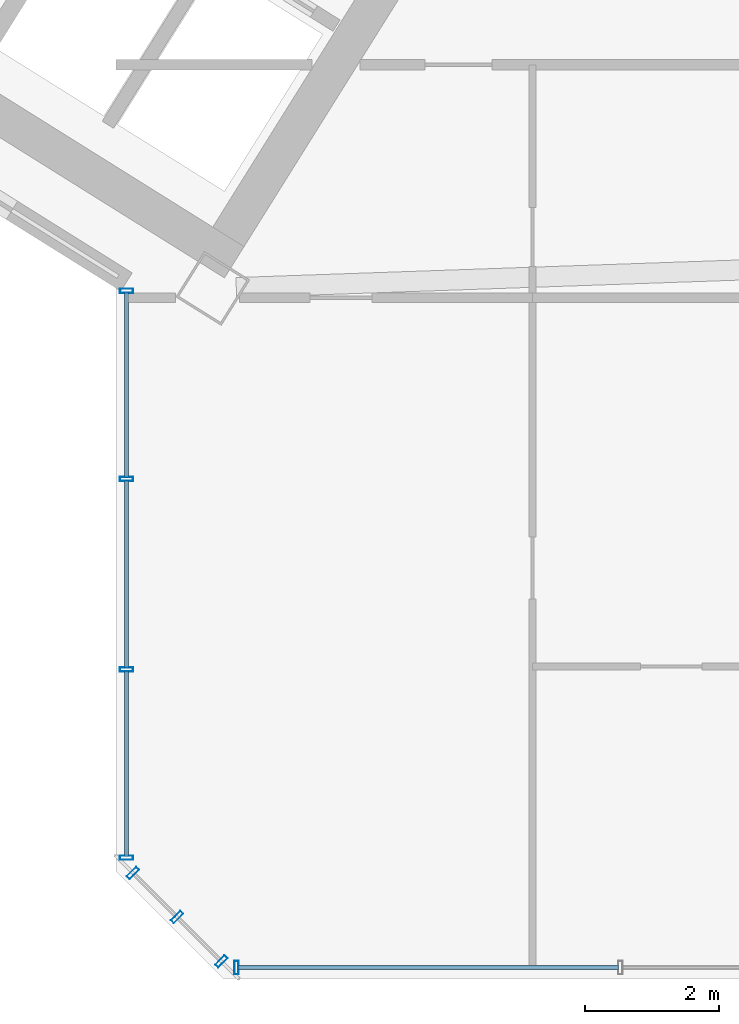
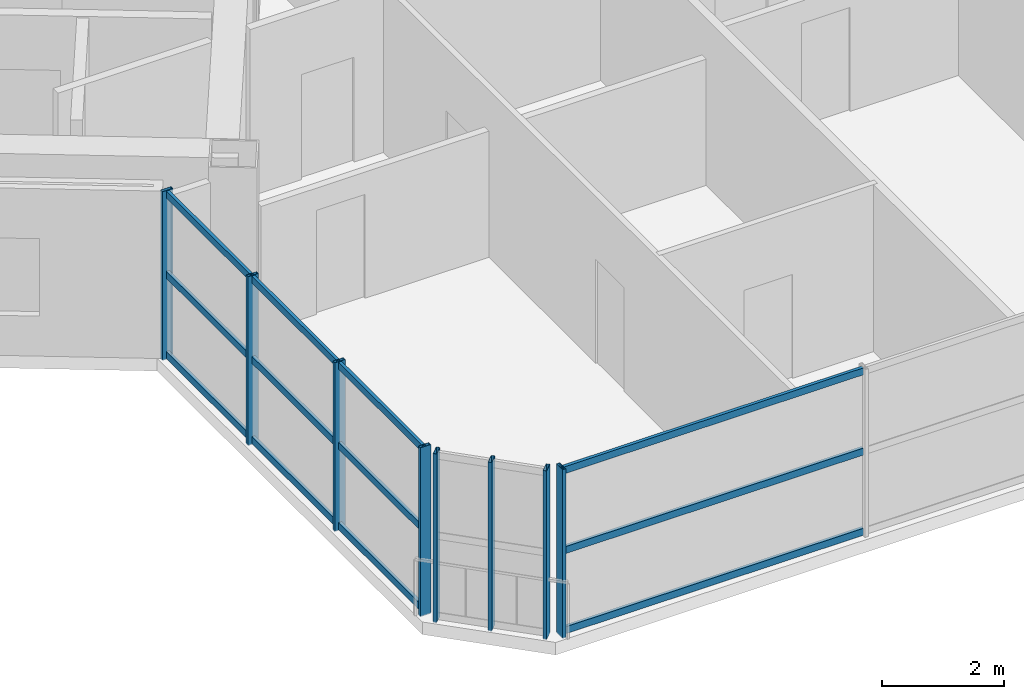
# One storey, part 4 of 21: 20 members, 3 elements without a shape of their own.
"""IFC4 building model written with IfcOpenShell, lengths in metres."""

from ifc_helpers import new_model, si_unit, direction, frame, origin, origin_2d, place, context, subcontext, project, spatial, hollow_rectangle, extrude, source, transform, mapped, material, material_profile, profile_set, type_object, element, aggregate, save


model = new_model("IFC4")

# Units and contexts
model_context = context("Model", 3, precision=1e-05, world=origin(), true_north=direction((0.0, 1.0)))
body_context = subcontext(model_context, "Body", "Model", "MODEL_VIEW")
ifc_project = project(units=[si_unit("LENGTHUNIT", "METRE"), si_unit("AREAUNIT", "SQUARE_METRE"), si_unit("VOLUMEUNIT", "CUBIC_METRE"), si_unit("PLANEANGLEUNIT", "RADIAN"), si_unit("MASSUNIT", "GRAM", prefix="KILO")], contexts=[model_context])

# Site, building, storey
site_placement = place(None, origin())
site = spatial("IfcSite", under=ifc_project, at=site_placement, CompositionType="ELEMENT")
building_placement = place(site_placement, origin())
building = spatial("IfcBuilding", under=site, at=building_placement, Name="Tlacorven Tower", CompositionType="ELEMENT")
storey_placement = place(building_placement, frame((0.0, 0.0, 184.199951171875)))
storey = spatial("IfcBuildingStorey", under=building, at=storey_placement, Name="L46", CompositionType="ELEMENT", Elevation=184.199951171875)

# Curtain wall, members
ifc_material_1 = material(Name="Dark solar low-E double glazing in aluminium frame", Category="aluminium")
curtain_wall_type = type_object("IfcCurtainWallType", Name="CW-TWR-MID", PredefinedType="USERDEFINED", material=ifc_material_1)
curtain_wall_1_placement = place(storey_placement, origin())
curtain_wall_1 = element("IfcCurtainWall", 1, at=curtain_wall_1_placement, inside=storey, type_object=curtain_wall_type, Name="L46 CW-TWR-MID Curtain Wall 213", ObjectType="UNITISED CURTAIN WALL", PredefinedType="USERDEFINED")
ifc_material_2 = material(Name="Aluminium 6063-T6 anodised", Category="aluminium")
ifc_material_profile_1 = material_profile(ifc_material_2, hollow_rectangle(XDim=0.06005859375, YDim=0.139892578125, WallThickness=0.00390625, at=origin_2d()), Name="ALU TRANSOM 60X140")
ifc_profile_set_1 = profile_set([ifc_material_profile_1], Name="Aluminium 6063-T6 anodised")
member_type_1 = type_object("IfcMemberType", Name="CWT-02", PredefinedType="USERDEFINED", material=ifc_profile_set_1)
shared_shape_1 = source(origin(), body_context, "Body", "SweptSolid", [
    extrude(hollow_rectangle(XDim=0.06005859375, YDim=0.139892578125, WallThickness=0.00390625, at=origin_2d()), origin(), (0.0, 0.0, 1.0), 5.682373046875),
])
member_1_placement = place(storey_placement, frame((39.1015625, 1.9599609375, 0.070068359375), z_axis=(-1.0, 0.0, 0.0), x_axis=(0.0, -1.0, 0.0)))
member_1 = element("IfcMember", 2, at=member_1_placement, type_object=member_type_1, Name="CW-L46-213 Transom 7", ObjectType="TRANSOM", PredefinedType="USERDEFINED", context=body_context, shape_type="MappedRepresentation", body=[
    mapped(shared_shape_1, transform((0.0, 0.0, 0.0), scale=1.0)),
])
member_2_placement = place(storey_placement, frame((39.1015625, 1.9599609375, 1.675048828125), z_axis=(-1.0, 0.0, 0.0), x_axis=(0.0, -1.0, 0.0)))
member_2 = element("IfcMember", 3, at=member_2_placement, type_object=member_type_1, Name="CW-L46-213 Transom 8", ObjectType="TRANSOM", PredefinedType="USERDEFINED", context=body_context, shape_type="MappedRepresentation", body=[
    mapped(shared_shape_1, transform((0.0, 0.0, 0.0), scale=1.0)),
])
member_3_placement = place(storey_placement, frame((39.1015625, 1.9599609375, 3.280029296875), z_axis=(-1.0, 0.0, 0.0), x_axis=(0.0, -1.0, 0.0)))
member_3 = element("IfcMember", 4, at=member_3_placement, type_object=member_type_1, Name="CW-L46-213 Transom 9", ObjectType="TRANSOM", PredefinedType="USERDEFINED", context=body_context, shape_type="MappedRepresentation", body=[
    mapped(shared_shape_1, transform((0.0, 0.0, 0.0), scale=1.0)),
])

curtain_wall_2_placement = place(storey_placement, origin())
curtain_wall_2 = element("IfcCurtainWall", 5, at=curtain_wall_2_placement, inside=storey, type_object=curtain_wall_type, Name="L46 CW-TWR-MID Curtain Wall 215", ObjectType="UNITISED CURTAIN WALL", PredefinedType="USERDEFINED")
shared_shape_2 = source(origin(), body_context, "Body", "SweptSolid", [
    extrude(hollow_rectangle(XDim=0.06005859375, YDim=0.139892578125, WallThickness=0.00390625, at=origin_2d()), origin(), (0.0, 0.0, 1.0), 2.765380859375),
])
member_4_placement = place(storey_placement, frame((31.760009765625, 3.619384765625, 0.070068359375), z_axis=(0.0, 1.0, 0.0), x_axis=(-1.0, 0.0, 0.0)))
member_4 = element("IfcMember", 6, at=member_4_placement, type_object=member_type_1, Name="CW-L46-215 Transom 1", ObjectType="TRANSOM", PredefinedType="USERDEFINED", context=body_context, shape_type="MappedRepresentation", body=[
    mapped(shared_shape_2, transform((0.0, 0.0, 0.0), scale=1.0)),
])
member_5_placement = place(storey_placement, frame((31.760009765625, 3.619384765625, 1.675048828125), z_axis=(0.0, 1.0, 0.0), x_axis=(-1.0, 0.0, 0.0)))
member_5 = element("IfcMember", 7, at=member_5_placement, type_object=member_type_1, Name="CW-L46-215 Transom 2", ObjectType="TRANSOM", PredefinedType="USERDEFINED", context=body_context, shape_type="MappedRepresentation", body=[
    mapped(shared_shape_2, transform((0.0, 0.0, 0.0), scale=1.0)),
])
member_6_placement = place(storey_placement, frame((31.760009765625, 3.619384765625, 3.280029296875), z_axis=(0.0, 1.0, 0.0), x_axis=(-1.0, 0.0, 0.0)))
member_6 = element("IfcMember", 8, at=member_6_placement, type_object=member_type_1, Name="CW-L46-215 Transom 3", ObjectType="TRANSOM", PredefinedType="USERDEFINED", context=body_context, shape_type="MappedRepresentation", body=[
    mapped(shared_shape_2, transform((0.0, 0.0, 0.0), scale=1.0)),
])
member_7_placement = place(storey_placement, frame((31.760009765625, 9.2646484375, 0.070068359375), z_axis=(0.0, 1.0, 0.0), x_axis=(-1.0, 0.0, 0.0)))
member_7 = element("IfcMember", 9, at=member_7_placement, type_object=member_type_1, Name="CW-L46-215 Transom 7", ObjectType="TRANSOM", PredefinedType="USERDEFINED", context=body_context, shape_type="MappedRepresentation", body=[
    mapped(shared_shape_2, transform((0.0, 0.0, 0.0), scale=1.0)),
])
member_8_placement = place(storey_placement, frame((31.760009765625, 9.2646484375, 1.675048828125), z_axis=(0.0, 1.0, 0.0), x_axis=(-1.0, 0.0, 0.0)))
member_8 = element("IfcMember", 10, at=member_8_placement, type_object=member_type_1, Name="CW-L46-215 Transom 8", ObjectType="TRANSOM", PredefinedType="USERDEFINED", context=body_context, shape_type="MappedRepresentation", body=[
    mapped(shared_shape_2, transform((0.0, 0.0, 0.0), scale=1.0)),
])
member_9_placement = place(storey_placement, frame((31.760009765625, 9.2646484375, 3.280029296875), z_axis=(0.0, 1.0, 0.0), x_axis=(-1.0, 0.0, 0.0)))
member_9 = element("IfcMember", 11, at=member_9_placement, type_object=member_type_1, Name="CW-L46-215 Transom 9", ObjectType="TRANSOM", PredefinedType="USERDEFINED", context=body_context, shape_type="MappedRepresentation", body=[
    mapped(shared_shape_2, transform((0.0, 0.0, 0.0), scale=1.0)),
])
shared_shape_3 = source(origin(), body_context, "Body", "SweptSolid", [
    extrude(hollow_rectangle(XDim=0.06005859375, YDim=0.139892578125, WallThickness=0.00390625, at=origin_2d()), origin(), (0.0, 0.0, 1.0), 2.7978515625),
])
member_10_placement = place(storey_placement, frame((31.760009765625, 6.42578125, 0.070068359375), z_axis=(0.0, 1.0, 0.0), x_axis=(-1.0, 0.0, 0.0)))
member_10 = element("IfcMember", 12, at=member_10_placement, type_object=member_type_1, Name="CW-L46-215 Transom 4", ObjectType="TRANSOM", PredefinedType="USERDEFINED", context=body_context, shape_type="MappedRepresentation", body=[
    mapped(shared_shape_3, transform((0.0, 0.0, 0.0), scale=1.0)),
])
member_11_placement = place(storey_placement, frame((31.760009765625, 6.42578125, 1.675048828125), z_axis=(0.0, 1.0, 0.0), x_axis=(-1.0, 0.0, 0.0)))
member_11 = element("IfcMember", 13, at=member_11_placement, type_object=member_type_1, Name="CW-L46-215 Transom 5", ObjectType="TRANSOM", PredefinedType="USERDEFINED", context=body_context, shape_type="MappedRepresentation", body=[
    mapped(shared_shape_3, transform((0.0, 0.0, 0.0), scale=1.0)),
])
member_12_placement = place(storey_placement, frame((31.760009765625, 6.42578125, 3.280029296875), z_axis=(0.0, 1.0, 0.0), x_axis=(-1.0, 0.0, 0.0)))
member_12 = element("IfcMember", 14, at=member_12_placement, type_object=member_type_1, Name="CW-L46-215 Transom 6", ObjectType="TRANSOM", PredefinedType="USERDEFINED", context=body_context, shape_type="MappedRepresentation", body=[
    mapped(shared_shape_3, transform((0.0, 0.0, 0.0), scale=1.0)),
])

# Member
ifc_material_profile_2 = material_profile(ifc_material_2, hollow_rectangle(XDim=0.06494140625, YDim=0.199951171875, WallThickness=0.00439453125, at=origin_2d()), Name="ALU MULLION 65X200")
ifc_profile_set_2 = profile_set([ifc_material_profile_2], Name="Aluminium 6063-T6 anodised")
member_type_2 = type_object("IfcMemberType", Name="CWM-02", PredefinedType="MULLION", material=ifc_profile_set_2)
shared_shape_4 = source(origin(), body_context, "Body", "SweptSolid", [
    extrude(hollow_rectangle(XDim=0.06494140625, YDim=0.199951171875, WallThickness=0.00439453125, at=origin_2d()), origin(), (0.0, 0.0, 1.0), 3.380126953125),
])
member_13_placement = place(storey_placement, frame((33.398681640625, 1.9599609375, -0.02001953125), z_axis=(0.0, 0.0, 1.0), x_axis=(-1.0, 0.0, 0.0)))
member_13 = element("IfcMember", 15, at=member_13_placement, type_object=member_type_2, Name="CW-L46-213 Mullion 4", PredefinedType="MULLION", context=body_context, shape_type="MappedRepresentation", body=[
    mapped(shared_shape_4, transform((0.0, 0.0, 0.0), scale=1.0)),
])

aggregate(curtain_wall_1, [member_13, member_1, member_2, member_3])

# Curtain wall, members
curtain_wall_3_placement = place(storey_placement, origin())
curtain_wall_3 = element("IfcCurtainWall", 16, at=curtain_wall_3_placement, inside=storey, type_object=curtain_wall_type, Name="L46 CW-TWR-MID Curtain Wall 214", ObjectType="UNITISED CURTAIN WALL", PredefinedType="USERDEFINED")
member_14_placement = place(storey_placement, frame((33.172607421875, 2.0537109375, -0.02001953125), z_axis=(0.0, 0.0, 1.0), x_axis=(-0.707106781187, 0.707106781187, 0.0)))
member_14 = element("IfcMember", 17, at=member_14_placement, type_object=member_type_2, Name="CW-L46-214 Mullion 1", PredefinedType="MULLION", context=body_context, shape_type="MappedRepresentation", body=[
    mapped(shared_shape_4, transform((0.0, 0.0, 0.0), scale=1.0)),
])
member_15_placement = place(storey_placement, frame((32.51318359375, 2.713134765625, -0.02001953125), z_axis=(0.0, 0.0, 1.0), x_axis=(-0.707106781187, 0.707106781187, 0.0)))
member_15 = element("IfcMember", 18, at=member_15_placement, type_object=member_type_2, Name="CW-L46-214 Mullion 2", PredefinedType="MULLION", context=body_context, shape_type="MappedRepresentation", body=[
    mapped(shared_shape_4, transform((0.0, 0.0, 0.0), scale=1.0)),
])
member_16_placement = place(storey_placement, frame((31.853759765625, 3.37255859375, -0.02001953125), z_axis=(0.0, 0.0, 1.0), x_axis=(-0.707106781187, 0.707106781187, 0.0)))
member_16 = element("IfcMember", 19, at=member_16_placement, type_object=member_type_2, Name="CW-L46-214 Mullion 3", PredefinedType="MULLION", context=body_context, shape_type="MappedRepresentation", body=[
    mapped(shared_shape_4, transform((0.0, 0.0, 0.0), scale=1.0)),
])
aggregate(curtain_wall_3, [member_14, member_15, member_16])

# Member
member_17_placement = place(storey_placement, frame((31.760009765625, 3.598876953125, -0.02001953125), z_axis=(0.0, 0.0, 1.0), x_axis=(0.0, 1.0, 0.0)))
member_17 = element("IfcMember", 20, at=member_17_placement, type_object=member_type_2, Name="CW-L46-215 Mullion 1", PredefinedType="MULLION", context=body_context, shape_type="MappedRepresentation", body=[
    mapped(shared_shape_4, transform((0.0, 0.0, 0.0), scale=1.0)),
])

member_18_placement = place(storey_placement, frame((31.760009765625, 6.4052734375, -0.02001953125), z_axis=(0.0, 0.0, 1.0), x_axis=(0.0, 1.0, 0.0)))
member_18 = element("IfcMember", 21, at=member_18_placement, type_object=member_type_2, Name="CW-L46-215 Mullion 2", PredefinedType="MULLION", context=body_context, shape_type="MappedRepresentation", body=[
    mapped(shared_shape_4, transform((0.0, 0.0, 0.0), scale=1.0)),
])

member_19_placement = place(storey_placement, frame((31.760009765625, 9.244140625, -0.02001953125), z_axis=(0.0, 0.0, 1.0), x_axis=(0.0, 1.0, 0.0)))
member_19 = element("IfcMember", 22, at=member_19_placement, type_object=member_type_2, Name="CW-L46-215 Mullion 3", PredefinedType="MULLION", context=body_context, shape_type="MappedRepresentation", body=[
    mapped(shared_shape_4, transform((0.0, 0.0, 0.0), scale=1.0)),
])

member_20_placement = place(storey_placement, frame((31.760009765625, 12.050537109375, -0.02001953125), z_axis=(0.0, 0.0, 1.0), x_axis=(0.0, 1.0, 0.0)))
member_20 = element("IfcMember", 23, at=member_20_placement, type_object=member_type_2, Name="CW-L46-215 Mullion 4", PredefinedType="MULLION", context=body_context, shape_type="MappedRepresentation", body=[
    mapped(shared_shape_4, transform((0.0, 0.0, 0.0), scale=1.0)),
])

aggregate(curtain_wall_2, [member_17, member_18, member_19, member_20, member_4, member_5, member_6, member_10, member_11, member_12, member_7, member_8, member_9])

save(model, "model.ifc")
